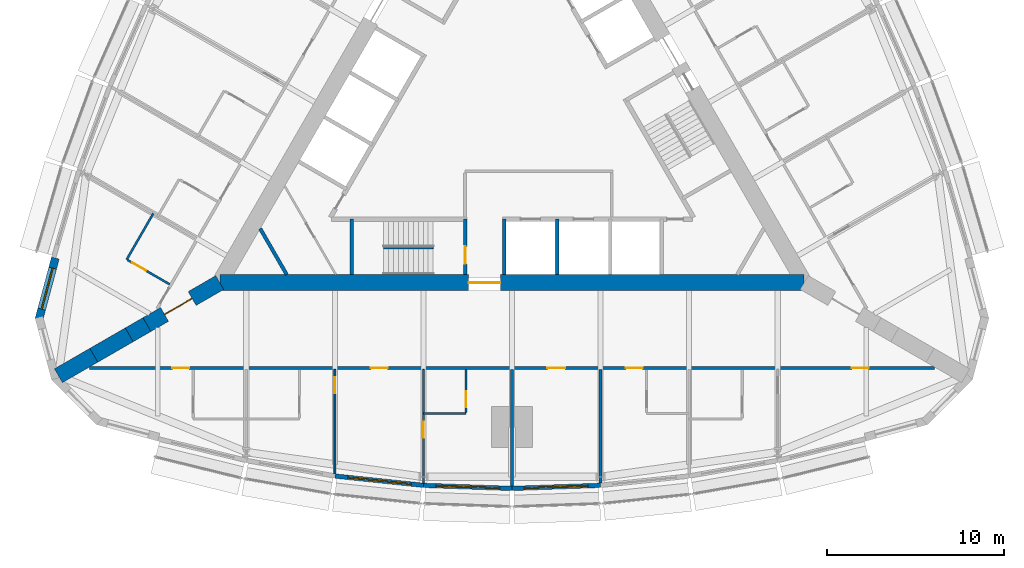
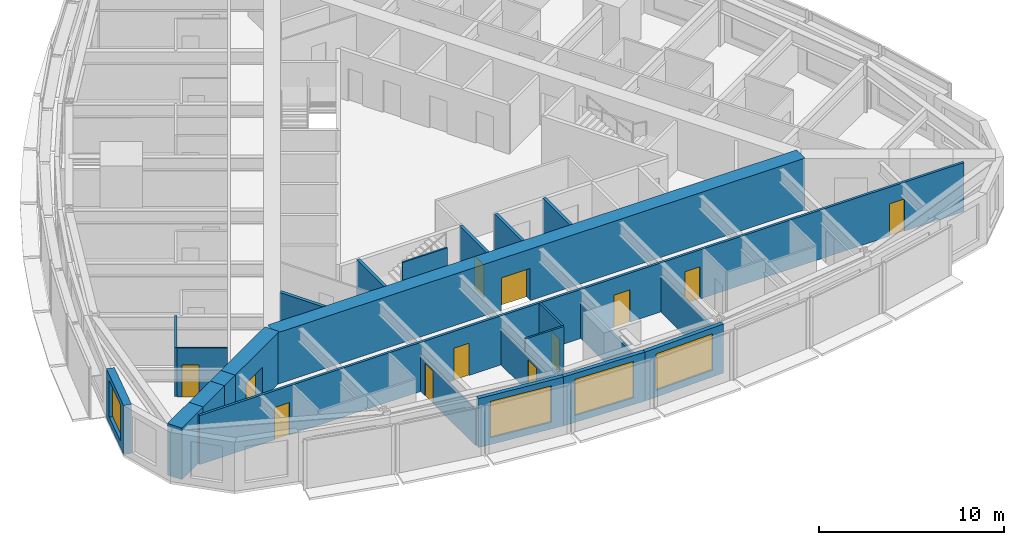
# One storey, part 8 of 14: 24 walls, 12 doors, 4 windows, 16 openings.
"""IFC4 building model written with IfcOpenShell, lengths in metres."""

from ifc_helpers import new_model, si_unit, direction, frame, frame_2d, origin, place, context, subcontext, project, spatial, rectangle, extrude, material, layer, layer_set, type_object, element, fill, save


model = new_model("IFC4")

# Units and contexts
model_context = context("Model", 3, precision=1e-05, world=origin(), true_north=direction((0.0, 1.0)))
body_context = subcontext(model_context, "Body", "Model", "MODEL_VIEW")
ifc_project = project(units=[si_unit("LENGTHUNIT", "METRE"), si_unit("AREAUNIT", "SQUARE_METRE"), si_unit("VOLUMEUNIT", "CUBIC_METRE"), si_unit("PLANEANGLEUNIT", "RADIAN"), si_unit("MASSUNIT", "GRAM", prefix="KILO")], contexts=[model_context])

# Site, building, storey
site_placement = place(None, origin())
site = spatial("IfcSite", under=ifc_project, at=site_placement, CompositionType="ELEMENT")
building_placement = place(site_placement, origin())
building = spatial("IfcBuilding", under=site, at=building_placement, Name="Trikona Tower", CompositionType="ELEMENT")
storey_placement = place(building_placement, frame((0.0, 0.0, 138.5)))
storey = spatial("IfcBuildingStorey", under=building, at=storey_placement, Name="L36", CompositionType="ELEMENT", Elevation=138.5)

# Wall
ifc_material_1 = material(Name="Metal stud and cement board", Category="gypsum")
ifc_layer_1 = layer(ifc_material_1, 0.1201171875)
ifc_layer_set_1 = layer_set([ifc_layer_1], Name="Bathroom wall 120")
wall_type_1 = type_object("IfcWallType", Name="Bathroom wall 120", PredefinedType="PLUMBINGWALL", material=ifc_layer_set_1)
wall_1_placement = place(storey_placement, frame((-5.0, -16.92626953125, 0.0), z_axis=(0.0, 0.0, 1.0), x_axis=(1.0, 0.0, 0.0)))
element("IfcWall", 1, at=wall_1_placement, inside=storey, type_object=wall_type_1, Name="Bathroom wall 3602.2", PredefinedType="PLUMBINGWALL", context=body_context, shape_type="SweptSolid", body=[
    extrude(rectangle(XDim=2.39990234375, YDim=0.1201171875, at=frame_2d((1.199951171875, 0.0))), origin(), (0.0, 0.0, 1.0), 3.235107421875),
])

# Wall, opening, door
wall_2_placement = place(storey_placement, frame((-2.60009765625, -14.42626953125, 0.0), z_axis=(0.0, 0.0, 1.0), x_axis=(0.0, -1.0, 0.0)))
wall_2 = element("IfcWall", 2, at=wall_2_placement, inside=storey, type_object=wall_type_1, Name="Bathroom wall 3602.2", PredefinedType="PLUMBINGWALL", context=body_context, shape_type="SweptSolid", body=[
    extrude(rectangle(XDim=2.43994140625, YDim=0.1201171875, at=frame_2d((1.219970703125, 0.0))), origin(), (0.0, 0.0, 1.0), 3.235107421875),
])
opening_1_placement = place(wall_2_placement, frame((1.25, 0.0, 0.0)))
opening_1 = element("IfcOpeningElement", 3, at=opening_1_placement, cuts=wall_2, Name="Opening D2", PredefinedType="OPENING", context=body_context, shape_type="SweptSolid", body=[
    extrude(rectangle(XDim=0.89990234375, YDim=2.1298828125, at=frame_2d((0.449951171875, 1.06494140625))), frame((0.0, 0.070068359375, 0.0), z_axis=(0.0, -1.0, 0.0), x_axis=(1.0, 0.0, 0.0)), (0.0, 0.0, 1.0), 0.14013671875),
])
ifc_material_2 = material(Name="Steel door frame with solid-core timber leaf", Category="steel")
door_type_1 = type_object("IfcDoorType", Name="Bathroom door 900x2130", OperationType="SLIDING_TO_LEFT", PredefinedType="DOOR", material=ifc_material_2)
door_1_placement = place(opening_1_placement, origin())
door_1 = element("IfcDoor", 4, at=door_1_placement, inside=storey, type_object=door_type_1, Name="Bathroom door 3602.2", OperationType="SLIDING_TO_LEFT", OverallHeight=2.1298828125, OverallWidth=0.89990234375, PredefinedType="DOOR", context=body_context, shape_type="SweptSolid", body=[
    extrude(rectangle(XDim=0.89990234375, YDim=2.1298828125, at=frame_2d((0.449951171875, 1.06494140625))), frame((0.0, 0.02490234375, 0.0), z_axis=(0.0, -1.0, 0.0), x_axis=(1.0, 0.0, 0.0)), (0.0, 0.0, 1.0), 0.050048828125),
])
fill(opening_1, door_1)

# Wall
wall_3_placement = place(storey_placement, frame((-20.25341796875, -5.627197265625, 0.0), z_axis=(0.0, 0.0, 1.0), x_axis=(-0.499990139034, -0.866031096941, 0.0)))
element("IfcWall", 5, at=wall_3_placement, inside=storey, type_object=wall_type_1, Name="Bathroom wall 3616", PredefinedType="PLUMBINGWALL", context=body_context, shape_type="SweptSolid", body=[
    extrude(rectangle(XDim=3.0, YDim=0.1201171875, at=frame_2d((1.5, 0.0))), origin(), (0.0, 0.0, 1.0), 3.235107421875),
])

# Wall, opening, door
wall_4_placement = place(storey_placement, frame((-19.32861328125, -9.625244140625, 0.0), z_axis=(0.0, 0.0, 1.0), x_axis=(-0.866035715982, 0.499982138324, 0.0)))
wall_4 = element("IfcWall", 6, at=wall_4_placement, inside=storey, type_object=wall_type_1, Name="Bathroom wall 3616", PredefinedType="PLUMBINGWALL", context=body_context, shape_type="SweptSolid", body=[
    extrude(rectangle(XDim=2.73974609375, YDim=0.1201171875, at=frame_2d((1.369873046875, 0.0))), origin(), (0.0, 0.0, 1.0), 3.235107421875),
])
opening_2_placement = place(wall_4_placement, frame((1.550048828125, 0.0, 0.0)))
opening_2 = element("IfcOpeningElement", 7, at=opening_2_placement, cuts=wall_4, Name="Opening D2", PredefinedType="OPENING", context=body_context, shape_type="SweptSolid", body=[
    extrude(rectangle(XDim=0.89990234375, YDim=2.1298828125, at=frame_2d((0.449951171875, 1.06494140625))), frame((0.0, 0.070068359375, 0.0), z_axis=(0.0, -1.0, 0.0), x_axis=(1.0, 0.0, 0.0)), (0.0, 0.0, 1.0), 0.14013671875),
])
door_2_placement = place(opening_2_placement, origin())
door_2 = element("IfcDoor", 8, at=door_2_placement, inside=storey, type_object=door_type_1, Name="Bathroom door 3616", OperationType="SLIDING_TO_LEFT", OverallHeight=2.1298828125, OverallWidth=0.89990234375, PredefinedType="DOOR", context=body_context, shape_type="SweptSolid", body=[
    extrude(rectangle(XDim=0.89990234375, YDim=2.1298828125, at=frame_2d((0.449951171875, 1.06494140625))), frame((0.0, 0.02490234375, 0.0), z_axis=(0.0, -1.0, 0.0), x_axis=(1.0, 0.0, 0.0)), (0.0, 0.0, 1.0), 0.050048828125),
])
fill(opening_2, door_2)

# Wall, opening, window
ifc_material_3 = material(Name="Brick-faced precast concrete", Category="masonry")
ifc_layer_2 = layer(ifc_material_3, 0.449951171875)
ifc_layer_set_2 = layer_set([ifc_layer_2], Name="Brick-faced corner wall 450")
wall_type_2 = type_object("IfcWallType", Name="Brick-faced corner wall 450", PredefinedType="SOLIDWALL", material=ifc_layer_set_2)
wall_5_placement = place(storey_placement, frame((-25.78271484375, -8.14111328125, 0.0), z_axis=(0.0, 0.0, 1.0), x_axis=(-0.258823421857, -0.965924653531, 0.0)))
wall_5 = element("IfcWall", 9, at=wall_5_placement, inside=storey, type_object=wall_type_2, Name="External wall L36-32", PredefinedType="SOLIDWALL", context=body_context, shape_type="SweptSolid", body=[
    extrude(rectangle(XDim=3.58642578125, YDim=0.449951171875, at=frame_2d((1.793212890625, 0.0))), origin(), (0.0, 0.0, 1.0), 3.235107421875),
])
opening_3_placement = place(wall_5_placement, frame((0.593017578125, 0.0, 0.449951171875)))
opening_3 = element("IfcOpeningElement", 10, at=opening_3_placement, cuts=wall_5, Name="Opening W2424", PredefinedType="OPENING", context=body_context, shape_type="SweptSolid", body=[
    extrude(rectangle(XDim=2.39990234375, YDim=2.39990234375, at=frame_2d((1.199951171875, 1.199951171875))), frame((0.0, 0.23486328125, 0.0), z_axis=(0.0, -1.0, 0.0), x_axis=(1.0, 0.0, 0.0)), (0.0, 0.0, 1.0), 0.469970703125),
])
ifc_material_4 = material(Name="Aluminium-framed double glazing", Category="aluminium")
window_type_1 = type_object("IfcWindowType", Name="Window 2400x2400", PartitioningType="SINGLE_PANEL", PredefinedType="WINDOW", material=ifc_material_4)
window_1_placement = place(opening_3_placement, origin())
window_1 = element("IfcWindow", 11, at=window_1_placement, inside=storey, type_object=window_type_1, Name="Window 3616", OverallHeight=2.39990234375, OverallWidth=2.39990234375, PartitioningType="SINGLE_PANEL", PredefinedType="WINDOW", context=body_context, shape_type="SweptSolid", body=[
    extrude(rectangle(XDim=2.39990234375, YDim=2.39990234375, at=frame_2d((1.199951171875, 1.199951171875))), frame((0.0, 0.030029296875, 0.0), z_axis=(0.0, -1.0, 0.0), x_axis=(1.0, 0.0, 0.0)), (0.0, 0.0, 1.0), 0.06005859375),
])
fill(opening_3, window_1)

# Wall, opening, door
ifc_material_5 = material(Name="Concrete f'c 10000 psi", Category="concrete")
ifc_layer_3 = layer(ifc_material_5, 0.89990234375)
ifc_layer_set_3 = layer_set([ifc_layer_3], Name="Buttress wall 900")
wall_type_3 = type_object("IfcWallType", Name="Buttress wall 900", PredefinedType="SHEAR", material=ifc_layer_set_3)
wall_6_placement = place(storey_placement, frame((-16.5, -9.5263671875, 0.0), z_axis=(0.0, 0.0, 1.0), x_axis=(-0.866031398331, -0.499989616998, 0.0)))
wall_6 = element("IfcWall", 12, at=wall_6_placement, inside=storey, type_object=wall_type_3, Name="Buttress wall 3", PredefinedType="SHEAR", context=body_context, shape_type="SweptSolid", body=[
    extrude(rectangle(XDim=4.74609375, YDim=0.89990234375, at=frame_2d((2.373046875, 0.0))), origin(), (0.0, 0.0, 1.0), 3.39990234375),
])
opening_4_placement = place(wall_6_placement, frame((1.800048828125, 0.0, 0.0)))
opening_4 = element("IfcOpeningElement", 13, at=opening_4_placement, cuts=wall_6, Name="Opening D10", PredefinedType="OPENING", context=body_context, shape_type="SweptSolid", body=[
    extrude(rectangle(XDim=1.800048828125, YDim=2.1298828125, at=frame_2d((0.89990234375, 1.06494140625))), frame((0.0, 0.4599609375, 0.0), z_axis=(0.0, -1.0, 0.0), x_axis=(1.0, 0.0, 0.0)), (0.0, 0.0, 1.0), 0.919921875),
])
ifc_material_6 = material(Name="Hollow metal door and frame", Category="steel")
door_type_2 = type_object("IfcDoorType", Name="Cross-corridor door pair 1800x2130", OperationType="DOUBLE_DOOR_DOUBLE_SWING", PredefinedType="DOOR", material=ifc_material_6)
door_3_placement = place(opening_4_placement, origin())
door_3 = element("IfcDoor", 14, at=door_3_placement, inside=storey, type_object=door_type_2, Name="Cross-corridor door 3", OperationType="DOUBLE_DOOR_DOUBLE_SWING", OverallHeight=2.1298828125, OverallWidth=1.800048828125, PredefinedType="DOOR", context=body_context, shape_type="SweptSolid", body=[
    extrude(rectangle(XDim=1.800048828125, YDim=2.1298828125, at=frame_2d((0.89990234375, 1.06494140625))), frame((0.0, 0.02490234375, 0.0), z_axis=(0.0, -1.0, 0.0), x_axis=(1.0, 0.0, 0.0)), (0.0, 0.0, 1.0), 0.050048828125),
])
fill(opening_4, door_3)

# Walls
wall_7_placement = place(storey_placement, frame((-20.6103515625, -11.8994140625, 0.0), z_axis=(0.0, 0.0, 1.0), x_axis=(-0.866009537788, -0.500027479704, 0.0)))
element("IfcWall", 15, at=wall_7_placement, inside=storey, type_object=wall_type_3, Name="Buttress wall 3 part 2", PredefinedType="SHEAR", context=body_context, shape_type="SweptSolid", body=[
    extrude(rectangle(XDim=1.15478515625, YDim=0.89990234375, at=frame_2d((0.577392578125, 0.0))), origin(), (0.0, 0.0, 1.0), 3.39990234375),
])
for number, where, z_axis, x_axis, name in (
    (16, (-21.6103515625, -12.476806640625, 0.0), (0.0, 0.0, 1.0), (-0.866055313784, -0.499948190782, 0.0), "Buttress wall 3 part 3"),
    (17, (-23.6103515625, -13.63134765625, 0.0), (0.0, 0.0, 1.0), (-0.866009537788, -0.500027479704, 0.0), "Buttress wall 3 part 4"),
):
    element("IfcWall", number, at=place(storey_placement, frame(where, z_axis=z_axis, x_axis=x_axis)), inside=storey, type_object=wall_type_3, Name=name, PredefinedType="SHEAR", context=body_context, shape_type="SweptSolid", body=[
        extrude(rectangle(XDim=2.309326171875, YDim=0.89990234375, at=frame_2d((1.15478515625, 0.0))), origin(), (0.0, 0.0, 1.0), 3.39990234375),
    ])

# Wall, opening, door
ifc_material_7 = material(Name="Concrete f'c 10000 psi", Category="concrete")
ifc_layer_4 = layer(ifc_material_7, 0.89990234375)
ifc_layer_set_4 = layer_set([ifc_layer_4], Name="Core wall 900")
wall_type_4 = type_object("IfcWallType", Name="Core wall 900", PredefinedType="SHEAR", material=ifc_layer_set_4)
wall_8_placement = place(storey_placement, frame((-16.5, -9.5263671875, 0.0), z_axis=(0.0, 0.0, 1.0), x_axis=(1.0, 0.0, 0.0)))
wall_8 = element("IfcWall", 18, at=wall_8_placement, inside=storey, type_object=wall_type_4, Name="Core wall A", PredefinedType="SHEAR", context=body_context, shape_type="SweptSolid", body=[
    extrude(rectangle(XDim=33.0, YDim=0.89990234375, at=frame_2d((16.5, 0.0))), origin(), (0.0, 0.0, 1.0), 3.39990234375),
])
opening_5_placement = place(wall_8_placement, frame((14.050048828125, 0.0, 0.0)))
opening_5 = element("IfcOpeningElement", 19, at=opening_5_placement, cuts=wall_8, Name="Opening D6", PredefinedType="OPENING", context=body_context, shape_type="SweptSolid", body=[
    extrude(rectangle(XDim=1.800048828125, YDim=2.1298828125, at=frame_2d((0.89990234375, 1.06494140625))), frame((0.0, 0.4599609375, 0.0), z_axis=(0.0, -1.0, 0.0), x_axis=(1.0, 0.0, 0.0)), (0.0, 0.0, 1.0), 0.919921875),
])
ifc_material_8 = material(Name="Hollow metal door and frame", Category="steel")
door_type_3 = type_object("IfcDoorType", Name="Lobby door pair 1800x2130", OperationType="DOUBLE_DOOR_SINGLE_SWING", PredefinedType="DOOR", material=ifc_material_8)
door_4_placement = place(opening_5_placement, origin())
door_4 = element("IfcDoor", 20, at=door_4_placement, inside=storey, type_object=door_type_3, Name="Fire service lift lobby door", OperationType="DOUBLE_DOOR_SINGLE_SWING", OverallHeight=2.1298828125, OverallWidth=1.800048828125, PredefinedType="DOOR", context=body_context, shape_type="SweptSolid", body=[
    extrude(rectangle(XDim=1.800048828125, YDim=2.1298828125, at=frame_2d((0.89990234375, 1.06494140625))), frame((0.0, 0.02490234375, 0.0), z_axis=(0.0, -1.0, 0.0), x_axis=(1.0, 0.0, 0.0)), (0.0, 0.0, 1.0), 0.050048828125),
])
fill(opening_5, door_4)

# Wall, openings, doors
ifc_material_9 = material(Name="Metal stud and gypsum board, 1-hour", Category="gypsum")
ifc_layer_5 = layer(ifc_material_9, 0.14990234375)
ifc_layer_set_5 = layer_set([ifc_layer_5], Name="Corridor wall 150")
wall_type_5 = type_object("IfcWallType", Name="Corridor wall 150", PredefinedType="PARTITIONING", material=ifc_layer_set_5)
wall_9_placement = place(storey_placement, frame((-23.857177734375, -14.351318359375, 0.0), z_axis=(0.0, 0.0, 1.0), x_axis=(1.0, 0.0, 0.0)))
wall_9 = element("IfcWall", 21, at=wall_9_placement, inside=storey, type_object=wall_type_5, Name="Corridor wall L36-1", PredefinedType="PARTITIONING", context=body_context, shape_type="SweptSolid", body=[
    extrude(rectangle(XDim=47.71435546875, YDim=0.14990234375, at=frame_2d((23.857177734375, 0.0))), origin(), (0.0, 0.0, 1.0), 3.235107421875),
])
opening_6_placement = place(wall_9_placement, frame((4.68212890625, 0.0, 0.0)))
opening_6 = element("IfcOpeningElement", 22, at=opening_6_placement, cuts=wall_9, Name="Opening D1", PredefinedType="OPENING", context=body_context, shape_type="SweptSolid", body=[
    extrude(rectangle(XDim=0.949951171875, YDim=2.1298828125, at=frame_2d((0.47509765625, 1.06494140625))), frame((0.0, 0.0849609375, 0.0), z_axis=(0.0, -1.0, 0.0), x_axis=(1.0, 0.0, 0.0)), (0.0, 0.0, 1.0), 0.169921875),
])
opening_7_placement = place(wall_9_placement, frame((15.882080078125, 0.0, 0.0)))
opening_7 = element("IfcOpeningElement", 23, at=opening_7_placement, cuts=wall_9, Name="Opening D1", PredefinedType="OPENING", context=body_context, shape_type="SweptSolid", body=[
    extrude(rectangle(XDim=0.949951171875, YDim=2.1298828125, at=frame_2d((0.47509765625, 1.06494140625))), frame((0.0, 0.0849609375, 0.0), z_axis=(0.0, -1.0, 0.0), x_axis=(1.0, 0.0, 0.0)), (0.0, 0.0, 1.0), 0.169921875),
])
opening_8_placement = place(wall_9_placement, frame((25.857177734375, 0.0, 0.0)))
opening_8 = element("IfcOpeningElement", 24, at=opening_8_placement, cuts=wall_9, Name="Opening D3", PredefinedType="OPENING", context=body_context, shape_type="SweptSolid", body=[
    extrude(rectangle(XDim=1.0, YDim=2.1298828125, at=frame_2d((0.5, 1.06494140625))), frame((0.0, 0.0849609375, 0.0), z_axis=(0.0, -1.0, 0.0), x_axis=(1.0, 0.0, 0.0)), (0.0, 0.0, 1.0), 0.169921875),
])
opening_9_placement = place(wall_9_placement, frame((30.281982421875, 0.0, 0.0)))
opening_9 = element("IfcOpeningElement", 25, at=opening_9_placement, cuts=wall_9, Name="Opening D1", PredefinedType="OPENING", context=body_context, shape_type="SweptSolid", body=[
    extrude(rectangle(XDim=0.949951171875, YDim=2.1298828125, at=frame_2d((0.47509765625, 1.06494140625))), frame((0.0, 0.0849609375, 0.0), z_axis=(0.0, -1.0, 0.0), x_axis=(1.0, 0.0, 0.0)), (0.0, 0.0, 1.0), 0.169921875),
])
opening_10_placement = place(wall_9_placement, frame((43.041015625, 0.0, 0.0)))
opening_10 = element("IfcOpeningElement", 26, at=opening_10_placement, cuts=wall_9, Name="Opening D1", PredefinedType="OPENING", context=body_context, shape_type="SweptSolid", body=[
    extrude(rectangle(XDim=0.949951171875, YDim=2.1298828125, at=frame_2d((0.47509765625, 1.06494140625))), frame((0.0, 0.0849609375, 0.0), z_axis=(0.0, -1.0, 0.0), x_axis=(1.0, 0.0, 0.0)), (0.0, 0.0, 1.0), 0.169921875),
])
ifc_material_10 = material(Name="Steel door frame with solid-core timber leaf", Category="steel")
door_type_4 = type_object("IfcDoorType", Name="Guest room door 950x2130", OperationType="SINGLE_SWING_LEFT", PredefinedType="DOOR", material=ifc_material_10)
door_5_placement = place(opening_6_placement, origin())
door_5 = element("IfcDoor", 27, at=door_5_placement, inside=storey, type_object=door_type_4, Name="Room door 3601", OperationType="SINGLE_SWING_LEFT", OverallHeight=2.1298828125, OverallWidth=0.949951171875, PredefinedType="DOOR", context=body_context, shape_type="SweptSolid", body=[
    extrude(rectangle(XDim=0.949951171875, YDim=2.1298828125, at=frame_2d((0.47509765625, 1.06494140625))), frame((0.0, 0.02490234375, 0.0), z_axis=(0.0, -1.0, 0.0), x_axis=(1.0, 0.0, 0.0)), (0.0, 0.0, 1.0), 0.050048828125),
])
fill(opening_6, door_5)
door_6_placement = place(opening_7_placement, origin())
door_6 = element("IfcDoor", 28, at=door_6_placement, inside=storey, type_object=door_type_4, Name="Room door 3602", OperationType="SINGLE_SWING_RIGHT", OverallHeight=2.1298828125, OverallWidth=0.949951171875, PredefinedType="DOOR", context=body_context, shape_type="SweptSolid", body=[
    extrude(rectangle(XDim=0.949951171875, YDim=2.1298828125, at=frame_2d((0.47509765625, 1.06494140625))), frame((0.0, 0.02490234375, 0.0), z_axis=(0.0, -1.0, 0.0), x_axis=(1.0, 0.0, 0.0)), (0.0, 0.0, 1.0), 0.050048828125),
])
fill(opening_7, door_6)
door_7_placement = place(opening_9_placement, origin())
door_7 = element("IfcDoor", 29, at=door_7_placement, inside=storey, type_object=door_type_4, Name="Room door 3603", OperationType="SINGLE_SWING_RIGHT", OverallHeight=2.1298828125, OverallWidth=0.949951171875, PredefinedType="DOOR", context=body_context, shape_type="SweptSolid", body=[
    extrude(rectangle(XDim=0.949951171875, YDim=2.1298828125, at=frame_2d((0.47509765625, 1.06494140625))), frame((0.0, 0.02490234375, 0.0), z_axis=(0.0, -1.0, 0.0), x_axis=(1.0, 0.0, 0.0)), (0.0, 0.0, 1.0), 0.050048828125),
])
fill(opening_9, door_7)
door_8_placement = place(opening_10_placement, origin())
door_8 = element("IfcDoor", 30, at=door_8_placement, inside=storey, type_object=door_type_4, Name="Room door 3604", OperationType="SINGLE_SWING_RIGHT", OverallHeight=2.1298828125, OverallWidth=0.949951171875, PredefinedType="DOOR", context=body_context, shape_type="SweptSolid", body=[
    extrude(rectangle(XDim=0.949951171875, YDim=2.1298828125, at=frame_2d((0.47509765625, 1.06494140625))), frame((0.0, 0.02490234375, 0.0), z_axis=(0.0, -1.0, 0.0), x_axis=(1.0, 0.0, 0.0)), (0.0, 0.0, 1.0), 0.050048828125),
])
fill(opening_10, door_8)
ifc_material_11 = material(Name="Steel door frame with solid-core timber leaf", Category="steel")
door_type_5 = type_object("IfcDoorType", Name="Room door 1000x2130", OperationType="SINGLE_SWING_LEFT", PredefinedType="DOOR", material=ifc_material_11)
door_9_placement = place(opening_8_placement, origin())
door_9 = element("IfcDoor", 31, at=door_9_placement, inside=storey, type_object=door_type_5, Name="Door Housekeeping pantry", OperationType="SINGLE_SWING_LEFT", OverallHeight=2.1298828125, OverallWidth=1.0, PredefinedType="DOOR", context=body_context, shape_type="SweptSolid", body=[
    extrude(rectangle(XDim=1.0, YDim=2.1298828125, at=frame_2d((0.5, 1.06494140625))), frame((0.0, 0.02490234375, 0.0), z_axis=(0.0, -1.0, 0.0), x_axis=(1.0, 0.0, 0.0)), (0.0, 0.0, 1.0), 0.050048828125),
])
fill(opening_8, door_9)

# Wall, opening, window
ifc_material_12 = material(Name="Insulated precast concrete spandrel panel", Category="concrete")
ifc_layer_6 = layer(ifc_material_12, 0.25)
ifc_layer_set_6 = layer_set([ifc_layer_6], Name="Inner skin wall 250")
wall_type_6 = type_object("IfcWallType", Name="Inner skin wall 250", PredefinedType="STANDARD", material=ifc_layer_set_6)
wall_10_placement = place(storey_placement, frame((-9.98681640625, -20.450927734375, 0.0), z_axis=(0.0, 0.0, 1.0), x_axis=(0.994534683851, -0.104406717299, 0.0)))
wall_10 = element("IfcWall", 32, at=wall_10_placement, inside=storey, type_object=wall_type_6, Name="External wall L36-02", PredefinedType="STANDARD", context=body_context, shape_type="SweptSolid", body=[
    extrude(rectangle(XDim=5.027587890625, YDim=0.25, at=frame_2d((2.513671875, 0.0))), origin(), (0.0, 0.0, 1.0), 3.235107421875),
])
opening_11_placement = place(wall_10_placement, frame((0.713623046875, 0.0, 0.449951171875)))
opening_11 = element("IfcOpeningElement", 33, at=opening_11_placement, cuts=wall_10, Name="Opening W3624", PredefinedType="OPENING", context=body_context, shape_type="SweptSolid", body=[
    extrude(rectangle(XDim=3.60009765625, YDim=2.39990234375, at=frame_2d((1.800048828125, 1.199951171875))), frame((0.0, 0.135009765625, 0.0), z_axis=(0.0, -1.0, 0.0), x_axis=(1.0, 0.0, 0.0)), (0.0, 0.0, 1.0), 0.27001953125),
])
ifc_material_13 = material(Name="Aluminium-framed double glazing", Category="aluminium")
window_type_2 = type_object("IfcWindowType", Name="Window 3600x2400", PartitioningType="SINGLE_PANEL", PredefinedType="WINDOW", material=ifc_material_13)
window_2_placement = place(opening_11_placement, origin())
window_2 = element("IfcWindow", 34, at=window_2_placement, inside=storey, type_object=window_type_2, Name="Window 3602", OverallHeight=2.39990234375, OverallWidth=3.60009765625, PartitioningType="SINGLE_PANEL", PredefinedType="WINDOW", context=body_context, shape_type="SweptSolid", body=[
    extrude(rectangle(XDim=3.60009765625, YDim=2.39990234375, at=frame_2d((1.800048828125, 1.199951171875))), frame((0.0, 0.030029296875, 0.0), z_axis=(0.0, -1.0, 0.0), x_axis=(1.0, 0.0, 0.0)), (0.0, 0.0, 1.0), 0.06005859375),
])
fill(opening_11, window_2)

wall_11_placement = place(storey_placement, frame((-4.99560546875, -20.975341796875, 0.0), z_axis=(0.0, 0.0, 1.0), x_axis=(0.999387720943, -0.034988329879, 0.0)))
wall_11 = element("IfcWall", 35, at=wall_11_placement, inside=storey, type_object=wall_type_6, Name="External wall L36-03", PredefinedType="STANDARD", context=body_context, shape_type="SweptSolid", body=[
    extrude(rectangle(XDim=5.003173828125, YDim=0.25, at=frame_2d((2.50146484375, 0.0))), origin(), (0.0, 0.0, 1.0), 3.235107421875),
])
opening_12_placement = place(wall_11_placement, frame((0.701416015625, 0.0, 0.449951171875)))
opening_12 = element("IfcOpeningElement", 36, at=opening_12_placement, cuts=wall_11, Name="Opening W3624", PredefinedType="OPENING", context=body_context, shape_type="SweptSolid", body=[
    extrude(rectangle(XDim=3.60009765625, YDim=2.39990234375, at=frame_2d((1.800048828125, 1.199951171875))), frame((0.0, 0.135009765625, 0.0), z_axis=(0.0, -1.0, 0.0), x_axis=(1.0, 0.0, 0.0)), (0.0, 0.0, 1.0), 0.27001953125),
])
window_3_placement = place(opening_12_placement, origin())
window_3 = element("IfcWindow", 37, at=window_3_placement, inside=storey, type_object=window_type_2, Name="Window 3602.2", OverallHeight=2.39990234375, OverallWidth=3.60009765625, PartitioningType="SINGLE_PANEL", PredefinedType="WINDOW", context=body_context, shape_type="SweptSolid", body=[
    extrude(rectangle(XDim=3.60009765625, YDim=2.39990234375, at=frame_2d((1.800048828125, 1.199951171875))), frame((0.0, 0.030029296875, 0.0), z_axis=(0.0, -1.0, 0.0), x_axis=(1.0, 0.0, 0.0)), (0.0, 0.0, 1.0), 0.06005859375),
])
fill(opening_12, window_3)

wall_12_placement = place(storey_placement, frame((-0.00439453125, -21.150390625, 0.0), z_axis=(0.0, 0.0, 1.0), x_axis=(0.999387720943, 0.034988329879, 0.0)))
wall_12 = element("IfcWall", 38, at=wall_12_placement, inside=storey, type_object=wall_type_6, Name="External wall L36-04", PredefinedType="STANDARD", context=body_context, shape_type="SweptSolid", body=[
    extrude(rectangle(XDim=5.003173828125, YDim=0.25, at=frame_2d((2.50146484375, 0.0))), origin(), (0.0, 0.0, 1.0), 3.235107421875),
])
opening_13_placement = place(wall_12_placement, frame((0.701416015625, 0.0, 0.449951171875)))
opening_13 = element("IfcOpeningElement", 39, at=opening_13_placement, cuts=wall_12, Name="Opening W3624", PredefinedType="OPENING", context=body_context, shape_type="SweptSolid", body=[
    extrude(rectangle(XDim=3.60009765625, YDim=2.39990234375, at=frame_2d((1.800048828125, 1.199951171875))), frame((0.0, 0.135009765625, 0.0), z_axis=(0.0, -1.0, 0.0), x_axis=(1.0, 0.0, 0.0)), (0.0, 0.0, 1.0), 0.27001953125),
])
window_4_placement = place(opening_13_placement, origin())
window_4 = element("IfcWindow", 40, at=window_4_placement, inside=storey, type_object=window_type_2, Name="Window L36-HKP", OverallHeight=2.39990234375, OverallWidth=3.60009765625, PartitioningType="SINGLE_PANEL", PredefinedType="WINDOW", context=body_context, shape_type="SweptSolid", body=[
    extrude(rectangle(XDim=3.60009765625, YDim=2.39990234375, at=frame_2d((1.800048828125, 1.199951171875))), frame((0.0, 0.030029296875, 0.0), z_axis=(0.0, -1.0, 0.0), x_axis=(1.0, 0.0, 0.0)), (0.0, 0.0, 1.0), 0.06005859375),
])
fill(opening_13, window_4)

# Walls
ifc_material_14 = material(Name="Metal stud and gypsum board, 1-hour acoustic", Category="gypsum")
ifc_layer_7 = layer(ifc_material_14, 0.14990234375)
ifc_layer_set_7 = layer_set([ifc_layer_7], Name="Party wall 150")
wall_type_7 = type_object("IfcWallType", Name="Party wall 150", PredefinedType="PARTITIONING", material=ifc_layer_set_7)
wall_13_placement = place(storey_placement, frame((0.0, -14.42626953125, 0.0), z_axis=(0.0, 0.0, 1.0), x_axis=(0.0, -1.0, 0.0)))
element("IfcWall", 41, at=wall_13_placement, inside=storey, type_object=wall_type_7, Name="Partition L36 F1 u-9.86076e-31", PredefinedType="PARTITIONING", context=body_context, shape_type="SweptSolid", body=[
    extrude(rectangle(XDim=6.5986328125, YDim=0.14990234375, at=frame_2d((3.29931640625, 0.0))), origin(), (0.0, 0.0, 1.0), 2.38916015625),
])
wall_14_placement = place(storey_placement, frame((5.0, -14.42626953125, 0.0), z_axis=(0.0, 0.0, 1.0), x_axis=(0.0, -1.0, 0.0)))
element("IfcWall", 42, at=wall_14_placement, inside=storey, type_object=wall_type_7, Name="Partition L36 F1 u5", PredefinedType="PARTITIONING", context=body_context, shape_type="SweptSolid", body=[
    extrude(rectangle(XDim=6.422607421875, YDim=0.14990234375, at=frame_2d((3.21142578125, 0.0))), origin(), (0.0, 0.0, 1.0), 2.38916015625),
])
ifc_material_15 = material(Name="Concrete f'c 8000 psi", Category="concrete")
ifc_layer_8 = layer(ifc_material_15, 0.199951171875)
ifc_layer_set_8 = layer_set([ifc_layer_8], Name="Shaft wall 200")
wall_type_8 = type_object("IfcWallType", Name="Shaft wall 200", PredefinedType="SOLIDWALL", material=ifc_layer_set_8)
for number, where, z_axis, x_axis, name in (
    (43, (-0.449951171875, -5.951416015625, 0.0), (0.0, 0.0, 1.0), (0.0, -1.0, 0.0), "Shaft wall A3"),
    (44, (2.550048828125, -5.951416015625, 0.0), (0.0, 0.0, 1.0), (0.0, -1.0, 0.0), "Shaft wall A4"),
):
    element("IfcWall", number, at=place(storey_placement, frame(where, z_axis=z_axis, x_axis=x_axis)), inside=storey, type_object=wall_type_8, Name=name, PredefinedType="SOLIDWALL", context=body_context, shape_type="SweptSolid", body=[
        extrude(rectangle(XDim=3.125, YDim=0.199951171875, at=frame_2d((1.5625, 0.0))), origin(), (0.0, 0.0, 1.0), 3.235107421875),
    ])
wall_15_placement = place(storey_placement, frame((-12.718505859375, -9.076416015625, 0.0), z_axis=(0.0, 0.0, 1.0), x_axis=(-0.499952404951, 0.866052881055, 0.0)))
element("IfcWall", 45, at=wall_15_placement, inside=storey, type_object=wall_type_8, Name="Riser wall L36-RS3", PredefinedType="SOLIDWALL", context=body_context, shape_type="SweptSolid", body=[
    extrude(rectangle(XDim=3.002197265625, YDim=0.199951171875, at=frame_2d((1.5009765625, 0.0))), origin(), (0.0, 0.0, 1.0), 3.235107421875),
])
ifc_material_16 = material(Name="Concrete f'c 8000 psi", Category="concrete")
ifc_layer_9 = layer(ifc_material_16, 0.199951171875)
ifc_layer_set_9 = layer_set([ifc_layer_9], Name="Shaft wall 200 load-bearing")
wall_type_9 = type_object("IfcWallType", Name="Shaft wall 200 load-bearing", PredefinedType="SOLIDWALL", material=ifc_layer_set_9)
wall_16_placement = place(storey_placement, frame((-9.050048828125, -5.951416015625, 0.0), z_axis=(0.0, 0.0, 1.0), x_axis=(0.0, -1.0, 0.0)))
element("IfcWall", 46, at=wall_16_placement, inside=storey, type_object=wall_type_9, Name="Shaft wall A1", PredefinedType="SOLIDWALL", context=body_context, shape_type="SweptSolid", body=[
    extrude(rectangle(XDim=3.125, YDim=0.199951171875, at=frame_2d((1.5625, 0.0))), origin(), (0.0, 0.0, 1.0), 3.235107421875),
])

# Wall, opening, door
wall_17_placement = place(storey_placement, frame((-2.64990234375, -5.951416015625, 0.0), z_axis=(0.0, 0.0, 1.0), x_axis=(0.0, -1.0, 0.0)))
wall_17 = element("IfcWall", 47, at=wall_17_placement, inside=storey, type_object=wall_type_9, Name="Shaft wall A2", PredefinedType="SOLIDWALL", context=body_context, shape_type="SweptSolid", body=[
    extrude(rectangle(XDim=3.125, YDim=0.199951171875, at=frame_2d((1.5625, 0.0))), origin(), (0.0, 0.0, 1.0), 3.235107421875),
])
opening_14_placement = place(wall_17_placement, frame((1.52490234375, 0.0, 0.0)))
opening_14 = element("IfcOpeningElement", 48, at=opening_14_placement, cuts=wall_17, Name="Opening D5", PredefinedType="OPENING", context=body_context, shape_type="SweptSolid", body=[
    extrude(rectangle(XDim=1.0, YDim=2.1298828125, at=frame_2d((0.5, 1.06494140625))), frame((0.0, 0.10986328125, 0.0), z_axis=(0.0, -1.0, 0.0), x_axis=(1.0, 0.0, 0.0)), (0.0, 0.0, 1.0), 0.219970703125),
])
ifc_material_17 = material(Name="Hollow metal door and frame", Category="steel")
door_type_6 = type_object("IfcDoorType", Name="Stair door 1000x2130", OperationType="SINGLE_SWING_LEFT", PredefinedType="DOOR", material=ifc_material_17)
door_10_placement = place(opening_14_placement, origin())
door_10 = element("IfcDoor", 49, at=door_10_placement, inside=storey, type_object=door_type_6, Name="Stair A door", OperationType="SINGLE_SWING_RIGHT", OverallHeight=2.1298828125, OverallWidth=1.0, PredefinedType="DOOR", context=body_context, shape_type="SweptSolid", body=[
    extrude(rectangle(XDim=1.0, YDim=2.1298828125, at=frame_2d((0.5, 1.06494140625))), frame((0.0, 0.02490234375, 0.0), z_axis=(0.0, -1.0, 0.0), x_axis=(1.0, 0.0, 0.0)), (0.0, 0.0, 1.0), 0.050048828125),
])
fill(opening_14, door_10)

# Wall
ifc_material_18 = material(Name="Concrete f'c 5000 psi", Category="concrete")
ifc_layer_10 = layer(ifc_material_18, 0.10009765625)
ifc_layer_set_10 = layer_set([ifc_layer_10], Name="Stair spine wall 100")
wall_type_10 = type_object("IfcWallType", Name="Stair spine wall 100", PredefinedType="SOLIDWALL", material=ifc_layer_set_10)
wall_18_placement = place(storey_placement, frame((-7.2470703125, -7.576416015625, 0.0), z_axis=(0.0, 0.0, 1.0), x_axis=(1.0, 0.0, 0.0)))
element("IfcWall", 50, at=wall_18_placement, inside=storey, type_object=wall_type_10, Name="Stair A spine wall L36", PredefinedType="SOLIDWALL", context=body_context, shape_type="SweptSolid", body=[
    extrude(rectangle(XDim=2.794189453125, YDim=0.10009765625, at=frame_2d((1.39697265625, 0.0))), origin(), (0.0, 0.0, 1.0), 3.39990234375),
])

# Wall, opening, door
ifc_material_19 = material(Name="Metal stud and gypsum board, acoustic", Category="gypsum")
ifc_layer_11 = layer(ifc_material_19, 0.10009765625)
ifc_layer_set_11 = layer_set([ifc_layer_11], Name="Suite partition 100")
wall_type_11 = type_object("IfcWallType", Name="Suite partition 100", PredefinedType="PARTITIONING", material=ifc_layer_set_11)
wall_19_placement = place(storey_placement, frame((-10.0, -14.42626953125, 0.0), z_axis=(0.0, 0.0, 1.0), x_axis=(0.0, -1.0, 0.0)))
wall_19 = element("IfcWall", 51, at=wall_19_placement, inside=storey, type_object=wall_type_11, Name="Suite partition L36 F1 u-10", PredefinedType="PARTITIONING", context=body_context, shape_type="SweptSolid", body=[
    extrude(rectangle(XDim=5.89501953125, YDim=0.10009765625, at=frame_2d((2.947509765625, 0.0))), origin(), (0.0, 0.0, 1.0), 2.38916015625),
])
opening_15_placement = place(wall_19_placement, frame((0.449951171875, 0.0, 0.0)))
opening_15 = element("IfcOpeningElement", 52, at=opening_15_placement, cuts=wall_19, Name="Opening D13", PredefinedType="OPENING", context=body_context, shape_type="SweptSolid", body=[
    extrude(rectangle(XDim=0.89990234375, YDim=2.1298828125, at=frame_2d((0.449951171875, 1.06494140625))), frame((0.0, 0.06005859375, 0.0), z_axis=(0.0, -1.0, 0.0), x_axis=(1.0, 0.0, 0.0)), (0.0, 0.0, 1.0), 0.1201171875),
])
ifc_material_20 = material(Name="Steel door frame with solid-core timber leaf", Category="steel")
door_type_7 = type_object("IfcDoorType", Name="Suite door 900x2130", OperationType="SINGLE_SWING_LEFT", PredefinedType="DOOR", material=ifc_material_20)
door_11_placement = place(opening_15_placement, origin())
door_11 = element("IfcDoor", 53, at=door_11_placement, inside=storey, type_object=door_type_7, Name="Suite door 3602", OperationType="SINGLE_SWING_LEFT", OverallHeight=2.1298828125, OverallWidth=0.89990234375, PredefinedType="DOOR", context=body_context, shape_type="SweptSolid", body=[
    extrude(rectangle(XDim=0.89990234375, YDim=2.1298828125, at=frame_2d((0.449951171875, 1.06494140625))), frame((0.0, 0.02490234375, 0.0), z_axis=(0.0, -1.0, 0.0), x_axis=(1.0, 0.0, 0.0)), (0.0, 0.0, 1.0), 0.050048828125),
])
fill(opening_15, door_11)

wall_20_placement = place(storey_placement, frame((-5.0, -14.42626953125, 0.0), z_axis=(0.0, 0.0, 1.0), x_axis=(0.0, -1.0, 0.0)))
wall_20 = element("IfcWall", 54, at=wall_20_placement, inside=storey, type_object=wall_type_11, Name="Suite partition L36 F1 u-5", PredefinedType="PARTITIONING", context=body_context, shape_type="SweptSolid", body=[
    extrude(rectangle(XDim=6.422607421875, YDim=0.10009765625, at=frame_2d((3.21142578125, 0.0))), origin(), (0.0, 0.0, 1.0), 2.38916015625),
])
opening_16_placement = place(wall_20_placement, frame((2.949951171875, 0.0, 0.0)))
opening_16 = element("IfcOpeningElement", 55, at=opening_16_placement, cuts=wall_20, Name="Opening D13", PredefinedType="OPENING", context=body_context, shape_type="SweptSolid", body=[
    extrude(rectangle(XDim=0.89990234375, YDim=2.1298828125, at=frame_2d((0.449951171875, 1.06494140625))), frame((0.0, 0.06005859375, 0.0), z_axis=(0.0, -1.0, 0.0), x_axis=(1.0, 0.0, 0.0)), (0.0, 0.0, 1.0), 0.1201171875),
])
door_12_placement = place(opening_16_placement, origin())
door_12 = element("IfcDoor", 56, at=door_12_placement, inside=storey, type_object=door_type_7, Name="Suite door 3602", OperationType="SINGLE_SWING_LEFT", OverallHeight=2.1298828125, OverallWidth=0.89990234375, PredefinedType="DOOR", context=body_context, shape_type="SweptSolid", body=[
    extrude(rectangle(XDim=0.89990234375, YDim=2.1298828125, at=frame_2d((0.449951171875, 1.06494140625))), frame((0.0, 0.02490234375, 0.0), z_axis=(0.0, -1.0, 0.0), x_axis=(1.0, 0.0, 0.0)), (0.0, 0.0, 1.0), 0.050048828125),
])
fill(opening_16, door_12)

save(model, "model.ifc")
